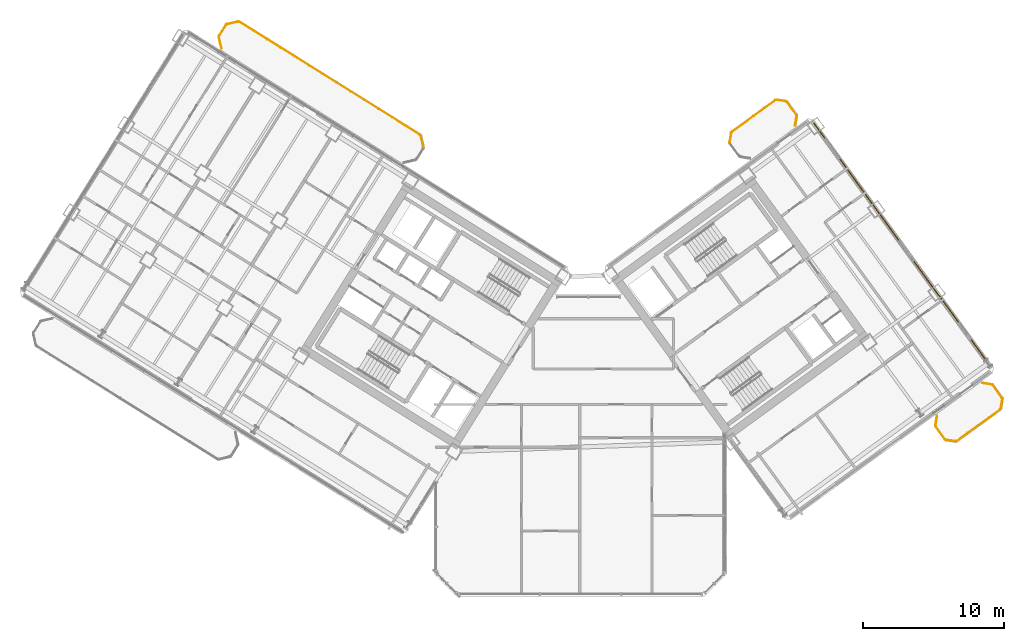
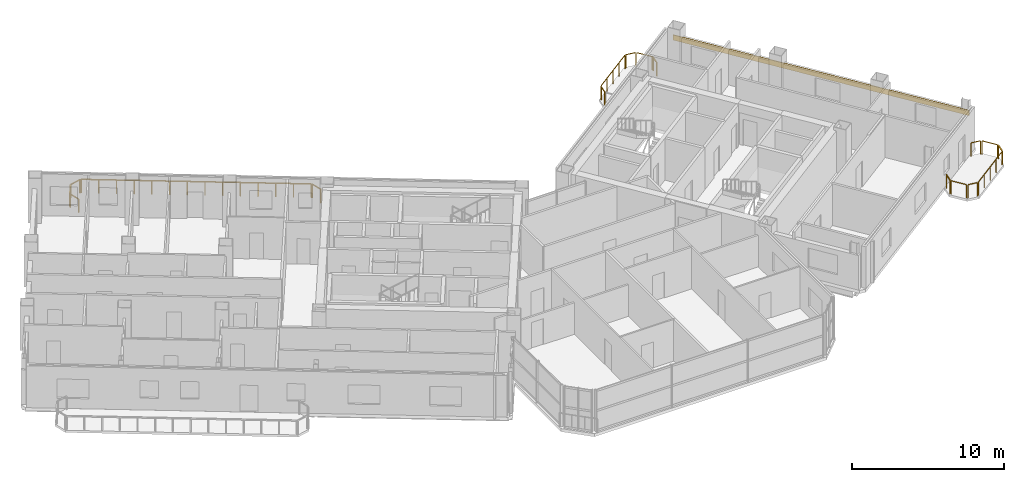
# One storey, part 29 of 29: 17 railings, 1 covering.
"""IFC4 building model written with IfcOpenShell, lengths in metres."""

from ifc_helpers import new_model, si_unit, direction, frame, origin, origin_2d, place, context, subcontext, project, spatial, rectangle, extrude, source, transform, mapped, material, layer, layer_set, type_object, element, save


model = new_model("IFC4")

# Units and contexts
model_context = context("Model", 3, precision=1e-05, world=origin(), true_north=direction((0.0, 1.0)))
body_context = subcontext(model_context, "Body", "Model", "MODEL_VIEW")
ifc_project = project(units=[si_unit("LENGTHUNIT", "METRE"), si_unit("AREAUNIT", "SQUARE_METRE"), si_unit("VOLUMEUNIT", "CUBIC_METRE"), si_unit("PLANEANGLEUNIT", "RADIAN"), si_unit("MASSUNIT", "GRAM", prefix="KILO")], contexts=[model_context])

# Site, building, storey
site_placement = place(None, origin())
site = spatial("IfcSite", under=ifc_project, at=site_placement, CompositionType="ELEMENT")
building_placement = place(site_placement, origin())
building = spatial("IfcBuilding", under=site, at=building_placement, Name="Tlacorven Tower", CompositionType="ELEMENT")
storey_placement = place(building_placement, frame((0.0, 0.0, 158.699951171875)))
storey = spatial("IfcBuildingStorey", under=building, at=storey_placement, Name="L40", CompositionType="ELEMENT", Elevation=158.699951171875)

# Railings
ifc_material_1 = material(Name="Aluminium and painted steel balustrade", Category="steel")
railing_type = type_object("IfcRailingType", Name="RL-BAL-1100", PredefinedType="BALUSTRADE", material=ifc_material_1)
shared_shape_1 = source(origin(), body_context, "Body", "SweptSolid", [
    extrude(rectangle(XDim=0.048095703125, YDim=0.048095703125, at=origin_2d()), frame((0.0, 0.0, 1.076171875), z_axis=(0.225058334816, -0.974345290916, 0.0), x_axis=(0.974345290916, 0.225058334816, 0.0)), (0.0, 0.0, 1.0), 0.80712890625),
    extrude(rectangle(XDim=0.0419921875, YDim=0.0419921875, at=origin_2d()), origin(), (0.0, 0.0, 1.0), 1.052001953125),
    extrude(rectangle(XDim=0.0419921875, YDim=0.0419921875, at=origin_2d()), frame((0.181640625, -0.786376953125, 0.0)), (0.0, 0.0, 1.0), 1.052001953125),
])
railing_1_placement = place(storey_placement, frame((30.6796875, 34.466064453125, 0.0)))
element("IfcRailing", 1, at=railing_1_placement, inside=storey, type_object=railing_type, Name="BAL-L40-W-IN Guard Railing 1", PredefinedType="BALUSTRADE", context=body_context, shape_type="MappedRepresentation", body=[
    mapped(shared_shape_1, transform((0.0, 0.0, 0.0), scale=1.0)),
])
shared_shape_2 = source(origin(), body_context, "Body", "SweptSolid", [
    extrude(rectangle(XDim=0.048095703125, YDim=0.048095703125, at=origin_2d()), frame((0.0, 0.0, 1.076171875), z_axis=(-0.225058334816, 0.974345290916, 0.0), x_axis=(-0.974345290916, -0.225058334816, 0.0)), (0.0, 0.0, 1.0), 0.80712890625),
    extrude(rectangle(XDim=0.0419921875, YDim=0.0419921875, at=origin_2d()), origin(), (0.0, 0.0, 1.0), 1.052001953125),
    extrude(rectangle(XDim=0.0419921875, YDim=0.0419921875, at=origin_2d()), frame((-0.181640625, 0.786376953125, 0.0)), (0.0, 0.0, 1.0), 1.052001953125),
])
railing_2_placement = place(storey_placement, frame((16.5361328125, 40.68115234375, 0.0)))
element("IfcRailing", 2, at=railing_2_placement, inside=storey, type_object=railing_type, Name="BAL-L40-W-IN Guard Railing 4", PredefinedType="BALUSTRADE", context=body_context, shape_type="MappedRepresentation", body=[
    mapped(shared_shape_2, transform((0.0, 0.0, 0.0), scale=1.0)),
])
shared_shape_3 = source(origin(), body_context, "Body", "SweptSolid", [
    extrude(rectangle(XDim=0.048095703125, YDim=0.048095703125, at=origin_2d()), frame((0.0, 0.0, 1.076171875), z_axis=(0.52987865805, 0.848073468364, 0.0), x_axis=(-0.848073468364, 0.52987865805, 0.0)), (0.0, 0.0, 1.0), 0.912353515625),
    extrude(rectangle(XDim=0.0419921875, YDim=0.0419921875, at=origin_2d()), origin(), (0.0, 0.0, 1.0), 1.052001953125),
    extrude(rectangle(XDim=0.0419921875, YDim=0.0419921875, at=origin_2d()), frame((0.4833984375, 0.773681640625, 0.0)), (0.0, 0.0, 1.0), 1.052001953125),
])
railing_3_placement = place(storey_placement, frame((16.369873046875, 41.55859375, 0.0)))
element("IfcRailing", 3, at=railing_3_placement, inside=storey, type_object=railing_type, Name="BAL-L40-W-IN Guard Railing 5", PredefinedType="BALUSTRADE", context=body_context, shape_type="MappedRepresentation", body=[
    mapped(shared_shape_3, transform((0.0, 0.0, 0.0), scale=1.0)),
])
shared_shape_4 = source(origin(), body_context, "Body", "SweptSolid", [
    extrude(rectangle(XDim=0.048095703125, YDim=0.048095703125, at=origin_2d()), frame((0.0, 0.0, 1.076171875), z_axis=(0.974411586182, 0.224771129628, 0.0), x_axis=(-0.224771129628, 0.974411586182, 0.0)), (0.0, 0.0, 1.0), 0.80712890625),
    extrude(rectangle(XDim=0.0419921875, YDim=0.0419921875, at=origin_2d()), origin(), (0.0, 0.0, 1.0), 1.052001953125),
    extrude(rectangle(XDim=0.0419921875, YDim=0.0419921875, at=origin_2d()), frame((0.786376953125, 0.181396484375, 0.0)), (0.0, 0.0, 1.0), 1.052001953125),
])
railing_4_placement = place(storey_placement, frame((16.928466796875, 42.385986328125, 0.0)))
element("IfcRailing", 4, at=railing_4_placement, inside=storey, type_object=railing_type, Name="BAL-L40-W-IN Guard Railing 6", PredefinedType="BALUSTRADE", context=body_context, shape_type="MappedRepresentation", body=[
    mapped(shared_shape_4, transform((0.0, 0.0, 0.0), scale=1.0)),
])
shared_shape_5 = source(origin(), body_context, "Body", "SweptSolid", [
    extrude(rectangle(XDim=0.048095703125, YDim=0.048095703125, at=origin_2d()), frame((0.0, 0.0, 1.076171875), z_axis=(0.848044572804, -0.529924902733, 0.0), x_axis=(0.529924902733, 0.848044572804, 0.0)), (0.0, 0.0, 1.0), 15.1171875),
    extrude(rectangle(XDim=0.0419921875, YDim=0.0419921875, at=origin_2d()), origin(), (0.0, 0.0, 1.0), 1.052001953125),
    extrude(rectangle(XDim=0.0419921875, YDim=0.0419921875, at=origin_2d()), frame((0.986083984375, -0.6162109375, 0.0)), (0.0, 0.0, 1.0), 1.052001953125),
    extrude(rectangle(XDim=0.0419921875, YDim=0.0419921875, at=origin_2d()), frame((1.972412109375, -1.232421875, 0.0)), (0.0, 0.0, 1.0), 1.052001953125),
    extrude(rectangle(XDim=0.0419921875, YDim=0.0419921875, at=origin_2d()), frame((2.95849609375, -1.8486328125, 0.0)), (0.0, 0.0, 1.0), 1.052001953125),
    extrude(rectangle(XDim=0.0419921875, YDim=0.0419921875, at=origin_2d()), frame((3.944580078125, -2.46484375, 0.0)), (0.0, 0.0, 1.0), 1.052001953125),
    extrude(rectangle(XDim=0.0419921875, YDim=0.0419921875, at=origin_2d()), frame((4.930908203125, -3.0810546875, 0.0)), (0.0, 0.0, 1.0), 1.052001953125),
    extrude(rectangle(XDim=0.0419921875, YDim=0.0419921875, at=origin_2d()), frame((5.9169921875, -3.697265625, 0.0)), (0.0, 0.0, 1.0), 1.052001953125),
    extrude(rectangle(XDim=0.0419921875, YDim=0.0419921875, at=origin_2d()), frame((6.903076171875, -4.313720703125, 0.0)), (0.0, 0.0, 1.0), 1.052001953125),
    extrude(rectangle(XDim=0.0419921875, YDim=0.0419921875, at=origin_2d()), frame((7.88916015625, -4.929931640625, 0.0)), (0.0, 0.0, 1.0), 1.052001953125),
    extrude(rectangle(XDim=0.0419921875, YDim=0.0419921875, at=origin_2d()), frame((8.87548828125, -5.546142578125, 0.0)), (0.0, 0.0, 1.0), 1.052001953125),
    extrude(rectangle(XDim=0.0419921875, YDim=0.0419921875, at=origin_2d()), frame((9.861572265625, -6.162353515625, 0.0)), (0.0, 0.0, 1.0), 1.052001953125),
    extrude(rectangle(XDim=0.0419921875, YDim=0.0419921875, at=origin_2d()), frame((10.84765625, -6.778564453125, 0.0)), (0.0, 0.0, 1.0), 1.052001953125),
    extrude(rectangle(XDim=0.0419921875, YDim=0.0419921875, at=origin_2d()), frame((11.833984375, -7.394775390625, 0.0)), (0.0, 0.0, 1.0), 1.052001953125),
    extrude(rectangle(XDim=0.0419921875, YDim=0.0419921875, at=origin_2d()), frame((12.820068359375, -8.010986328125, 0.0)), (0.0, 0.0, 1.0), 1.052001953125),
])
railing_5_placement = place(storey_placement, frame((17.805908203125, 42.55224609375, 0.0)))
element("IfcRailing", 5, at=railing_5_placement, inside=storey, type_object=railing_type, Name="BAL-L40-W-IN Guard Railing 7", PredefinedType="BALUSTRADE", context=body_context, shape_type="MappedRepresentation", body=[
    mapped(shared_shape_5, transform((0.0, 0.0, 0.0), scale=1.0)),
])
shared_shape_6 = source(origin(), body_context, "Body", "SweptSolid", [
    extrude(rectangle(XDim=0.048095703125, YDim=0.048095703125, at=origin_2d()), frame((0.0, 0.0, 1.076171875), z_axis=(-0.987661653326, 0.156602868908, 0.0), x_axis=(-0.156602868908, -0.987661653326, 0.0)), (0.0, 0.0, 1.0), 0.665771484375),
    extrude(rectangle(XDim=0.0419921875, YDim=0.0419921875, at=origin_2d()), origin(), (0.0, 0.0, 1.0), 1.052001953125),
    extrude(rectangle(XDim=0.0419921875, YDim=0.0419921875, at=origin_2d()), frame((-0.657470703125, 0.104248046875, 0.0)), (0.0, 0.0, 1.0), 1.052001953125),
])
railing_6_placement = place(storey_placement, frame((68.59521484375, 12.7919921875, 0.0)))
element("IfcRailing", 6, at=railing_6_placement, inside=storey, type_object=railing_type, Name="BAL-L40-E-OUT Guard Railing 1", PredefinedType="BALUSTRADE", context=body_context, shape_type="MappedRepresentation", body=[
    mapped(shared_shape_6, transform((0.0, 0.0, 0.0), scale=1.0)),
])
shared_shape_7 = source(origin(), body_context, "Body", "SweptSolid", [
    extrude(rectangle(XDim=0.048095703125, YDim=0.048095703125, at=origin_2d()), frame((0.0, 0.0, 1.076171875), z_axis=(-0.58788449985, 0.808944877501, 0.0), x_axis=(-0.808944877501, -0.58788449985, 0.0)), (0.0, 0.0, 1.0), 1.112060546875),
    extrude(rectangle(XDim=0.0419921875, YDim=0.0419921875, at=origin_2d()), origin(), (0.0, 0.0, 1.0), 1.052001953125),
    extrude(rectangle(XDim=0.0419921875, YDim=0.0419921875, at=origin_2d()), frame((-0.65380859375, 0.899658203125, 0.0)), (0.0, 0.0, 1.0), 1.052001953125),
])
railing_7_placement = place(storey_placement, frame((67.85888671875, 12.944580078125, 0.0)))
element("IfcRailing", 7, at=railing_7_placement, inside=storey, type_object=railing_type, Name="BAL-L40-E-OUT Guard Railing 2", PredefinedType="BALUSTRADE", context=body_context, shape_type="MappedRepresentation", body=[
    mapped(shared_shape_7, transform((0.0, 0.0, 0.0), scale=1.0)),
])
shared_shape_8 = source(origin(), body_context, "Body", "SweptSolid", [
    extrude(rectangle(XDim=0.048095703125, YDim=0.048095703125, at=origin_2d()), frame((0.0, 0.0, 1.076171875), z_axis=(0.156602868908, 0.987661653326, 0.0), x_axis=(-0.987661653326, 0.156602868908, 0.0)), (0.0, 0.0, 1.0), 0.665771484375),
    extrude(rectangle(XDim=0.0419921875, YDim=0.0419921875, at=origin_2d()), origin(), (0.0, 0.0, 1.0), 1.052001953125),
    extrude(rectangle(XDim=0.0419921875, YDim=0.0419921875, at=origin_2d()), frame((0.104248046875, 0.657470703125, 0.0)), (0.0, 0.0, 1.0), 1.052001953125),
])
railing_8_placement = place(storey_placement, frame((67.18359375, 13.93408203125, 0.0)))
element("IfcRailing", 8, at=railing_8_placement, inside=storey, type_object=railing_type, Name="BAL-L40-E-OUT Guard Railing 3", PredefinedType="BALUSTRADE", context=body_context, shape_type="MappedRepresentation", body=[
    mapped(shared_shape_8, transform((0.0, 0.0, 0.0), scale=1.0)),
])
shared_shape_9 = source(origin(), body_context, "Body", "SweptSolid", [
    extrude(rectangle(XDim=0.048095703125, YDim=0.048095703125, at=origin_2d()), frame((0.0, 0.0, 1.076171875), z_axis=(0.987718317463, -0.156245081039, 0.0), x_axis=(0.156245081039, 0.987718317463, 0.0)), (0.0, 0.0, 1.0), 0.66552734375),
    extrude(rectangle(XDim=0.0419921875, YDim=0.0419921875, at=origin_2d()), origin(), (0.0, 0.0, 1.0), 1.052001953125),
    extrude(rectangle(XDim=0.0419921875, YDim=0.0419921875, at=origin_2d()), frame((0.657470703125, -0.10400390625, 0.0)), (0.0, 0.0, 1.0), 1.052001953125),
])
railing_9_placement = place(storey_placement, frame((70.513916015625, 16.935546875, 0.0)))
element("IfcRailing", 9, at=railing_9_placement, inside=storey, type_object=railing_type, Name="BAL-L40-E-OUT Guard Railing 4", PredefinedType="BALUSTRADE", context=body_context, shape_type="MappedRepresentation", body=[
    mapped(shared_shape_9, transform((0.0, 0.0, 0.0), scale=1.0)),
])
shared_shape_10 = source(origin(), body_context, "Body", "SweptSolid", [
    extrude(rectangle(XDim=0.048095703125, YDim=0.048095703125, at=origin_2d()), frame((0.0, 0.0, 1.076171875), z_axis=(0.58788449985, -0.808944877501, 0.0), x_axis=(0.808944877501, 0.58788449985, 0.0)), (0.0, 0.0, 1.0), 1.112060546875),
    extrude(rectangle(XDim=0.0419921875, YDim=0.0419921875, at=origin_2d()), origin(), (0.0, 0.0, 1.0), 1.052001953125),
    extrude(rectangle(XDim=0.0419921875, YDim=0.0419921875, at=origin_2d()), frame((0.65380859375, -0.899658203125, 0.0)), (0.0, 0.0, 1.0), 1.052001953125),
])
for number, where, name in (
    (10, (71.250244140625, 16.783203125, 0.0), "BAL-L40-E-OUT Guard Railing 5"),
    (11, (56.658447265625, 36.866943359375, 0.0), "BAL-L40-E-IN Guard Railing 6"),
):
    element("IfcRailing", number, at=place(storey_placement, frame(where)), inside=storey, type_object=railing_type, Name=name, PredefinedType="BALUSTRADE", context=body_context, shape_type="MappedRepresentation", body=[
        mapped(shared_shape_10, transform((0.0, 0.0, 0.0), scale=1.0)),
    ])
shared_shape_11 = source(origin(), body_context, "Body", "SweptSolid", [
    extrude(rectangle(XDim=0.048095703125, YDim=0.048095703125, at=origin_2d()), frame((0.0, 0.0, 1.076171875), z_axis=(-0.156188498702, -0.987727266442, 0.0), x_axis=(0.987727266442, -0.156188498702, 0.0)), (0.0, 0.0, 1.0), 0.665771484375),
    extrude(rectangle(XDim=0.0419921875, YDim=0.0419921875, at=origin_2d()), origin(), (0.0, 0.0, 1.0), 1.052001953125),
    extrude(rectangle(XDim=0.0419921875, YDim=0.0419921875, at=origin_2d()), frame((-0.10400390625, -0.65771484375, 0.0)), (0.0, 0.0, 1.0), 1.052001953125),
])
railing_10_placement = place(storey_placement, frame((71.925537109375, 15.793701171875, 0.0)))
element("IfcRailing", 12, at=railing_10_placement, inside=storey, type_object=railing_type, Name="BAL-L40-E-OUT Guard Railing 6", PredefinedType="BALUSTRADE", context=body_context, shape_type="MappedRepresentation", body=[
    mapped(shared_shape_11, transform((0.0, 0.0, 0.0), scale=1.0)),
])
shared_shape_12 = source(origin(), body_context, "Body", "SweptSolid", [
    extrude(rectangle(XDim=0.048095703125, YDim=0.048095703125, at=origin_2d()), frame((0.0, 0.0, 1.076171875), z_axis=(-0.809018102573, -0.587783726986, 0.0), x_axis=(0.587783726986, -0.809018102573, 0.0)), (0.0, 0.0, 1.0), 3.817138671875),
    extrude(rectangle(XDim=0.0419921875, YDim=0.0419921875, at=origin_2d()), origin(), (0.0, 0.0, 1.0), 1.052001953125),
    extrude(rectangle(XDim=0.0419921875, YDim=0.0419921875, at=origin_2d()), frame((-0.77197265625, -0.56103515625, 0.0)), (0.0, 0.0, 1.0), 1.052001953125),
    extrude(rectangle(XDim=0.0419921875, YDim=0.0419921875, at=origin_2d()), frame((-1.5439453125, -1.121826171875, 0.0)), (0.0, 0.0, 1.0), 1.052001953125),
    extrude(rectangle(XDim=0.0419921875, YDim=0.0419921875, at=origin_2d()), frame((-2.316162109375, -1.6826171875, 0.0)), (0.0, 0.0, 1.0), 1.052001953125),
    extrude(rectangle(XDim=0.0419921875, YDim=0.0419921875, at=origin_2d()), frame((-3.088134765625, -2.24365234375, 0.0)), (0.0, 0.0, 1.0), 1.052001953125),
])
railing_11_placement = place(storey_placement, frame((71.773193359375, 15.057373046875, 0.0)))
element("IfcRailing", 13, at=railing_11_placement, inside=storey, type_object=railing_type, Name="BAL-L40-E-OUT Guard Railing 7", PredefinedType="BALUSTRADE", context=body_context, shape_type="MappedRepresentation", body=[
    mapped(shared_shape_12, transform((0.0, 0.0, 0.0), scale=1.0)),
])
shared_shape_13 = source(origin(), body_context, "Body", "SweptSolid", [
    extrude(rectangle(XDim=0.048095703125, YDim=0.048095703125, at=origin_2d()), frame((0.0, 0.0, 1.076171875), z_axis=(0.156546163506, 0.987670642822, 0.0), x_axis=(-0.987670642822, 0.156546163506, 0.0)), (0.0, 0.0, 1.0), 0.666015625),
    extrude(rectangle(XDim=0.0419921875, YDim=0.0419921875, at=origin_2d()), origin(), (0.0, 0.0, 1.0), 1.052001953125),
    extrude(rectangle(XDim=0.0419921875, YDim=0.0419921875, at=origin_2d()), frame((0.104248046875, 0.65771484375, 0.0)), (0.0, 0.0, 1.0), 1.052001953125),
])
railing_12_placement = place(storey_placement, frame((52.591796875, 34.017822265625, 0.0)))
element("IfcRailing", 14, at=railing_12_placement, inside=storey, type_object=railing_type, Name="BAL-L40-E-IN Guard Railing 3", PredefinedType="BALUSTRADE", context=body_context, shape_type="MappedRepresentation", body=[
    mapped(shared_shape_13, transform((0.0, 0.0, 0.0), scale=1.0)),
])
shared_shape_14 = source(origin(), body_context, "Body", "SweptSolid", [
    extrude(rectangle(XDim=0.048095703125, YDim=0.048095703125, at=origin_2d()), frame((0.0, 0.0, 1.076171875), z_axis=(0.809040198054, 0.587753313843, 0.0), x_axis=(-0.587753313843, 0.809040198054, 0.0)), (0.0, 0.0, 1.0), 3.8173828125),
    extrude(rectangle(XDim=0.0419921875, YDim=0.0419921875, at=origin_2d()), origin(), (0.0, 0.0, 1.0), 1.052001953125),
    extrude(rectangle(XDim=0.0419921875, YDim=0.0419921875, at=origin_2d()), frame((0.77197265625, 0.56103515625, 0.0)), (0.0, 0.0, 1.0), 1.052001953125),
    extrude(rectangle(XDim=0.0419921875, YDim=0.0419921875, at=origin_2d()), frame((1.544189453125, 1.121826171875, 0.0)), (0.0, 0.0, 1.0), 1.052001953125),
    extrude(rectangle(XDim=0.0419921875, YDim=0.0419921875, at=origin_2d()), frame((2.31640625, 1.6826171875, 0.0)), (0.0, 0.0, 1.0), 1.052001953125),
    extrude(rectangle(XDim=0.0419921875, YDim=0.0419921875, at=origin_2d()), frame((3.08837890625, 2.24365234375, 0.0)), (0.0, 0.0, 1.0), 1.052001953125),
])
railing_13_placement = place(storey_placement, frame((52.744140625, 34.754150390625, 0.0)))
element("IfcRailing", 15, at=railing_13_placement, inside=storey, type_object=railing_type, Name="BAL-L40-E-IN Guard Railing 4", PredefinedType="BALUSTRADE", context=body_context, shape_type="MappedRepresentation", body=[
    mapped(shared_shape_14, transform((0.0, 0.0, 0.0), scale=1.0)),
])
shared_shape_15 = source(origin(), body_context, "Body", "SweptSolid", [
    extrude(rectangle(XDim=0.048095703125, YDim=0.048095703125, at=origin_2d()), frame((0.0, 0.0, 1.076171875), z_axis=(0.987670642822, -0.156546163506, 0.0), x_axis=(0.156546163506, 0.987670642822, 0.0)), (0.0, 0.0, 1.0), 0.666015625),
    extrude(rectangle(XDim=0.0419921875, YDim=0.0419921875, at=origin_2d()), origin(), (0.0, 0.0, 1.0), 1.052001953125),
    extrude(rectangle(XDim=0.0419921875, YDim=0.0419921875, at=origin_2d()), frame((0.65771484375, -0.104248046875, 0.0)), (0.0, 0.0, 1.0), 1.052001953125),
])
railing_14_placement = place(storey_placement, frame((55.922119140625, 37.01953125, 0.0)))
element("IfcRailing", 16, at=railing_14_placement, inside=storey, type_object=railing_type, Name="BAL-L40-E-IN Guard Railing 5", PredefinedType="BALUSTRADE", context=body_context, shape_type="MappedRepresentation", body=[
    mapped(shared_shape_15, transform((0.0, 0.0, 0.0), scale=1.0)),
])
shared_shape_16 = source(origin(), body_context, "Body", "SweptSolid", [
    extrude(rectangle(XDim=0.048095703125, YDim=0.048095703125, at=origin_2d()), frame((0.0, 0.0, 1.076171875), z_axis=(-0.156245081039, -0.987718317463, 0.0), x_axis=(0.987718317463, -0.156245081039, 0.0)), (0.0, 0.0, 1.0), 0.66552734375),
    extrude(rectangle(XDim=0.0419921875, YDim=0.0419921875, at=origin_2d()), origin(), (0.0, 0.0, 1.0), 1.052001953125),
    extrude(rectangle(XDim=0.0419921875, YDim=0.0419921875, at=origin_2d()), frame((-0.10400390625, -0.657470703125, 0.0)), (0.0, 0.0, 1.0), 1.052001953125),
])
railing_15_placement = place(storey_placement, frame((57.333740234375, 35.87744140625, 0.0)))
element("IfcRailing", 17, at=railing_15_placement, inside=storey, type_object=railing_type, Name="BAL-L40-E-IN Guard Railing 7", PredefinedType="BALUSTRADE", context=body_context, shape_type="MappedRepresentation", body=[
    mapped(shared_shape_16, transform((0.0, 0.0, 0.0), scale=1.0)),
])

# Covering
ifc_material_2 = material(Name="Precast concrete C45/55", Category="concrete")
ifc_layer = layer(ifc_material_2, 0.06005859375)
ifc_layer_set = layer_set([ifc_layer], Name="Precast concrete C45/55")
covering_type = type_object("IfcCoveringType", Name="CV-CLD-TERC", PredefinedType="CLADDING", material=ifc_layer_set)
shared_shape_17 = source(origin(), body_context, "Body", "SweptSolid", [
    extrude(rectangle(XDim=21.287353515625, YDim=0.06005859375, at=origin_2d()), origin(), (0.0, 0.0, 1.0), 0.419921875),
])
covering_placement = place(storey_placement, frame((64.799072265625, 26.75146484375, 2.35498046875), z_axis=(0.0, 0.0, 1.0), x_axis=(0.587785363163, -0.809016913823, 0.0)))
element("IfcCovering", 18, at=covering_placement, inside=storey, type_object=covering_type, Name="L40 Masonry-Frame Spandrel Cladding 5", PredefinedType="CLADDING", context=body_context, shape_type="MappedRepresentation", body=[
    mapped(shared_shape_17, transform((0.0, 0.0, 0.0), scale=1.0)),
])

save(model, "model.ifc")
